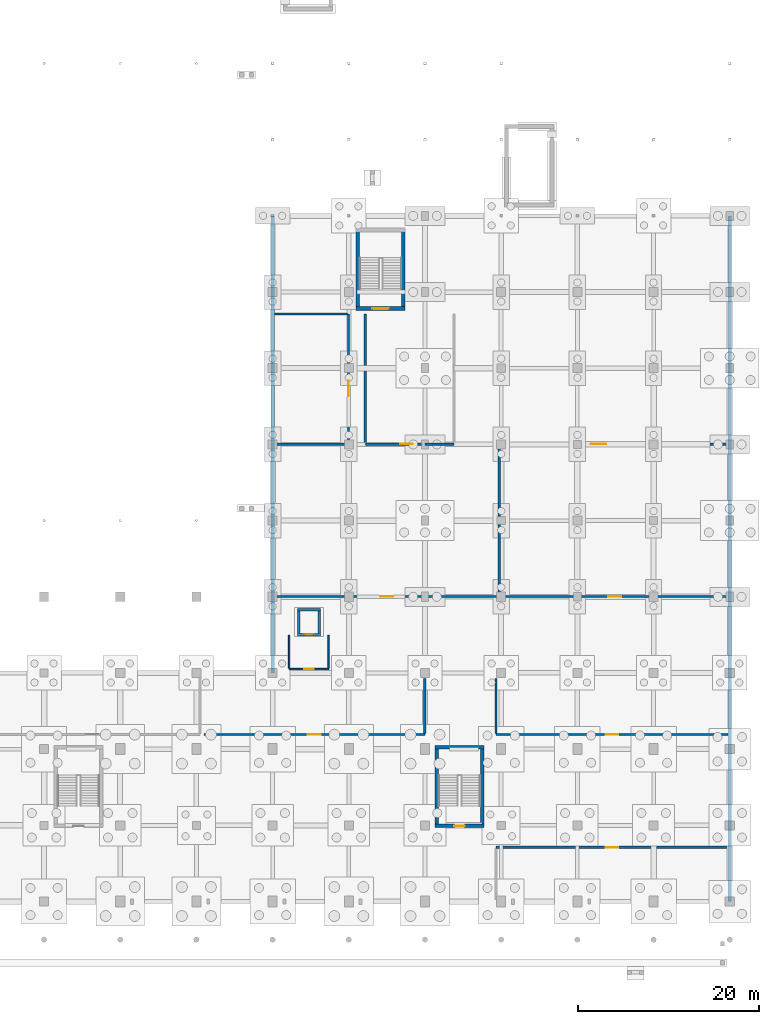
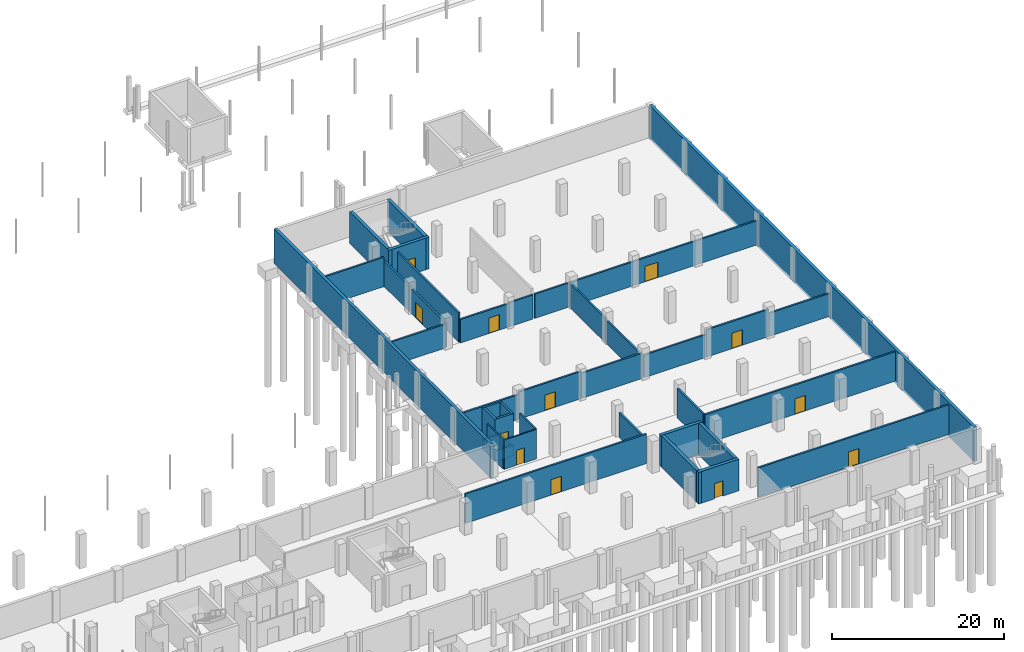
# One storey, part 35 of 39: 41 walls, 12 doors, 12 openings.
"""IFC4 building model written with IfcOpenShell, lengths in metres."""

from ifc_helpers import new_model, si_unit, derived_unit, direction, frame, frame_2d, origin, place, context, subcontext, project, spatial, rectangle, extrude, material, layer, layer_set, type_object, element, fill, save


model = new_model("IFC4")

# Units and contexts
model_context = context("Model", 3, precision=1e-05, world=origin(), true_north=direction((0.0, 1.0)))
body_context = subcontext(model_context, "Body", "Model", "MODEL_VIEW")
ifc_project = project(units=[si_unit("LENGTHUNIT", "METRE"), si_unit("AREAUNIT", "SQUARE_METRE"), si_unit("VOLUMEUNIT", "CUBIC_METRE"), si_unit("PLANEANGLEUNIT", "RADIAN"), si_unit("MASSUNIT", "GRAM", prefix="KILO"), derived_unit("THERMALTRANSMITTANCEUNIT", [(si_unit("POWERUNIT", "WATT"), 1), (si_unit("LENGTHUNIT", "METRE"), -2), (si_unit("THERMODYNAMICTEMPERATUREUNIT", "KELVIN"), -1)])], contexts=[model_context])

# Site, building, storey
site_placement = place(None, origin())
site = spatial("IfcSite", under=ifc_project, at=site_placement, CompositionType="ELEMENT")
building_placement = place(site_placement, origin())
building = spatial("IfcBuilding", under=site, at=building_placement, Name="Barrovel Congress Hotel", CompositionType="ELEMENT")
storey_placement = place(building_placement, frame((0.0, 0.0, -4.5)))
storey = spatial("IfcBuildingStorey", under=building, at=storey_placement, Name="B01", CompositionType="ELEMENT", Elevation=-4.5)

# Walls
ifc_material_1 = material(Name="Concrete C40", Category="concrete")
ifc_layer_1 = layer(ifc_material_1, 0.39990234375)
ifc_layer_set_1 = layer_set([ifc_layer_1], Name="Concrete C40")
wall_type_1 = type_object("IfcWallType", Name="EW-RET400", PredefinedType="STANDARD", material=ifc_layer_set_1)
wall_1_placement = place(storey_placement, frame((176.39990234375, 4.199951171875, -0.360107421875), z_axis=(0.0, 0.0, 1.0), x_axis=(0.0, 1.0, 0.0)))
element("IfcWall", 1, at=wall_1_placement, inside=storey, type_object=wall_type_1, Name="EW:B01:RET-02", PredefinedType="STANDARD", context=body_context, shape_type="SweptSolid", body=[
    extrude(rectangle(XDim=75.60009765625, YDim=0.39990234375, at=frame_2d((37.800048828125, 0.0))), origin(), (0.0, 0.0, 1.0), 4.860107421875),
])
wall_2_placement = place(storey_placement, frame((126.0, 79.800048828125, -0.360107421875), z_axis=(0.0, 0.0, 1.0), x_axis=(0.0, -1.0, 0.0)))
element("IfcWall", 2, at=wall_2_placement, inside=storey, type_object=wall_type_1, Name="EW:B01:RET-04", PredefinedType="STANDARD", context=body_context, shape_type="SweptSolid", body=[
    extrude(rectangle(XDim=50.400146484375, YDim=0.39990234375, at=frame_2d((25.2001953125, 0.0))), origin(), (0.0, 0.0, 1.0), 4.860107421875),
])

# Wall, opening, door
ifc_material_2 = material(Name="Gypsum Acoustic Stud", Category="gypsum")
ifc_layer_2 = layer(ifc_material_2, 0.179931640625)
ifc_layer_set_2 = layer_set([ifc_layer_2], Name="Gypsum Acoustic Stud")
wall_type_2 = type_object("IfcWallType", Name="PW-ACU-180", PredefinedType="PARTITIONING", material=ifc_layer_set_2)
wall_3_placement = place(storey_placement, frame((127.820068359375, 29.820068359375, 0.0), z_axis=(0.0, 0.0, 1.0), x_axis=(1.0, 0.0, 0.0)))
wall_3 = element("IfcWall", 3, at=wall_3_placement, inside=storey, type_object=wall_type_2, Name="RW:SP:B01:LL-CL2:S", PredefinedType="PARTITIONING", context=body_context, shape_type="SweptSolid", body=[
    extrude(rectangle(XDim=4.35986328125, YDim=0.179931640625, at=frame_2d((2.179931640625, 0.0))), origin(), (0.0, 0.0, 1.0), 4.175048828125),
])
opening_1_placement = place(wall_3_placement, frame((1.669921875, 0.0, 0.0)))
opening_1 = element("IfcOpeningElement", 4, at=opening_1_placement, cuts=wall_3, Name="Opening ID-ACC", PredefinedType="OPENING", context=body_context, shape_type="SweptSolid", body=[
    extrude(rectangle(XDim=1.02001953125, YDim=2.14990234375, at=frame_2d((0.510009765625, 1.074951171875))), frame((0.0, 0.10009765625, 0.0), z_axis=(0.0, -1.0, 0.0), x_axis=(1.0, 0.0, 0.0)), (0.0, 0.0, 1.0), 0.199951171875),
])
ifc_material_3 = material(Name="Solid Oak Acoustic Timber Door", Category="wood")
door_type_1 = type_object("IfcDoorType", Name="IDR-ID-ACC", OperationType="NOTDEFINED", PredefinedType="DOOR", material=ifc_material_3)
door_1_placement = place(opening_1_placement, origin())
door_1 = element("IfcDoor", 5, at=door_1_placement, inside=storey, type_object=door_type_1, Name="RD:SP:B01:LL-CL2", OperationType="SINGLE_SWING_LEFT", OverallHeight=2.14990234375, OverallWidth=1.02001953125, PredefinedType="DOOR", context=body_context, shape_type="SweptSolid", body=[
    extrude(rectangle(XDim=1.02001953125, YDim=2.14990234375, at=frame_2d((0.510009765625, 1.074951171875))), frame((0.0, 0.02490234375, 0.0), z_axis=(0.0, -1.0, 0.0), x_axis=(1.0, 0.0, 0.0)), (0.0, 0.0, 1.0), 0.050048828125),
])
fill(opening_1, door_1)

# Walls
for number, where, z_axis, x_axis, name in (
    (6, (127.820068359375, 29.909912109375, 0.0), (0.0, 0.0, 1.0), (0.0, 1.0, 0.0), "RW:SP:B01:LL-CL2:W"),
    (7, (132.179931640625, 29.909912109375, 0.0), (0.0, 0.0, 1.0), (0.0, 1.0, 0.0), "RW:SP:B01:LL-CL2:E"),
):
    element("IfcWall", number, at=place(storey_placement, frame(where, z_axis=z_axis, x_axis=x_axis)), inside=storey, type_object=wall_type_2, Name=name, PredefinedType="PARTITIONING", context=body_context, shape_type="SweptSolid", body=[
        extrude(rectangle(XDim=3.670166015625, YDim=0.179931640625, at=frame_2d((1.8349609375, 0.0))), origin(), (0.0, 0.0, 1.0), 4.175048828125),
    ])

# Wall, opening, door
ifc_material_4 = material(Name="Fired Clay Brick Masonry", Category="masonry")
ifc_layer_3 = layer(ifc_material_4, 0.239990234375)
ifc_layer_set_3 = layer_set([ifc_layer_3], Name="Fired Clay Brick Masonry")
wall_type_3 = type_object("IfcWallType", Name="PW-MAS-240", PredefinedType="PARTITIONING", material=ifc_layer_set_3)
wall_4_placement = place(storey_placement, frame((118.419921875, 22.6201171875, 0.0), z_axis=(0.0, 0.0, 1.0), x_axis=(1.0, 0.0, 0.0)))
wall_4 = element("IfcWall", 8, at=wall_4_placement, inside=storey, type_object=wall_type_3, Name="RW:SP:B01:BOIL:S", PredefinedType="PARTITIONING", context=body_context, shape_type="SweptSolid", body=[
    extrude(rectangle(XDim=24.360107421875, YDim=0.239990234375, at=frame_2d((12.18017578125, 0.0))), origin(), (0.0, 0.0, 1.0), 4.175048828125),
])
opening_2_placement = place(wall_4_placement, frame((11.47998046875, 0.0, 0.0)))
opening_2 = element("IfcOpeningElement", 9, at=opening_2_placement, cuts=wall_4, Name="Opening ID-PLT", PredefinedType="OPENING", context=body_context, shape_type="SweptSolid", body=[
    extrude(rectangle(XDim=1.39990234375, YDim=2.199951171875, at=frame_2d((0.699951171875, 1.10009765625))), frame((0.0, 0.1298828125, 0.0), z_axis=(0.0, -1.0, 0.0), x_axis=(1.0, 0.0, 0.0)), (0.0, 0.0, 1.0), 0.260009765625),
])
ifc_material_5 = material(Name="Painted Hollow-Metal Steel Door", Category="steel")
door_type_2 = type_object("IfcDoorType", Name="IDR-ID-PLT", OperationType="NOTDEFINED", PredefinedType="DOOR", material=ifc_material_5)
door_2_placement = place(opening_2_placement, origin())
door_2 = element("IfcDoor", 10, at=door_2_placement, inside=storey, type_object=door_type_2, Name="RD:SP:B01:BOIL", OperationType="DOUBLE_DOOR_SINGLE_SWING", OverallHeight=2.199951171875, OverallWidth=1.39990234375, PredefinedType="DOOR", context=body_context, shape_type="SweptSolid", body=[
    extrude(rectangle(XDim=1.39990234375, YDim=2.199951171875, at=frame_2d((0.699951171875, 1.10009765625))), frame((0.0, 0.02490234375, 0.0), z_axis=(0.0, -1.0, 0.0), x_axis=(1.0, 0.0, 0.0)), (0.0, 0.0, 1.0), 0.050048828125),
])
fill(opening_2, door_2)

# Wall
wall_5_placement = place(storey_placement, frame((142.780029296875, 22.739990234375, 0.0), z_axis=(0.0, 0.0, 1.0), x_axis=(0.0, 1.0, 0.0)))
element("IfcWall", 11, at=wall_5_placement, inside=storey, type_object=wall_type_3, Name="RW:SP:B01:BOIL:E", PredefinedType="PARTITIONING", context=body_context, shape_type="SweptSolid", body=[
    extrude(rectangle(XDim=6.0400390625, YDim=0.239990234375, at=frame_2d((3.02001953125, 0.0))), origin(), (0.0, 0.0, 1.0), 3.47998046875),
])

# Wall, opening, door
wall_6_placement = place(storey_placement, frame((150.6201171875, 10.179931640625, 0.0), z_axis=(0.0, 0.0, 1.0), x_axis=(1.0, 0.0, 0.0)))
wall_6 = element("IfcWall", 12, at=wall_6_placement, inside=storey, type_object=wall_type_3, Name="RW:SP:B01:SUBS:N", PredefinedType="PARTITIONING", context=body_context, shape_type="SweptSolid", body=[
    extrude(rectangle(XDim=25.579833984375, YDim=0.239990234375, at=frame_2d((12.7900390625, 0.0))), origin(), (0.0, 0.0, 1.0), 4.175048828125),
])
opening_3_placement = place(wall_6_placement, frame((12.090087890625, 0.0, 0.0)))
opening_3 = element("IfcOpeningElement", 13, at=opening_3_placement, cuts=wall_6, Name="Opening ID-PLT", PredefinedType="OPENING", context=body_context, shape_type="SweptSolid", body=[
    extrude(rectangle(XDim=1.39990234375, YDim=2.199951171875, at=frame_2d((0.699951171875, 1.10009765625))), frame((0.0, 0.1298828125, 0.0), z_axis=(0.0, -1.0, 0.0), x_axis=(1.0, 0.0, 0.0)), (0.0, 0.0, 1.0), 0.260009765625),
])
door_3_placement = place(opening_3_placement, origin())
door_3 = element("IfcDoor", 14, at=door_3_placement, inside=storey, type_object=door_type_2, Name="RD:SP:B01:SUBS", OperationType="DOUBLE_DOOR_SINGLE_SWING", OverallHeight=2.199951171875, OverallWidth=1.39990234375, PredefinedType="DOOR", context=body_context, shape_type="SweptSolid", body=[
    extrude(rectangle(XDim=1.39990234375, YDim=2.199951171875, at=frame_2d((0.699951171875, 1.10009765625))), frame((0.0, 0.02490234375, 0.0), z_axis=(0.0, -1.0, 0.0), x_axis=(1.0, 0.0, 0.0)), (0.0, 0.0, 1.0), 0.050048828125),
])
fill(opening_3, door_3)

wall_7_placement = place(storey_placement, frame((150.6201171875, 22.6201171875, 0.0), z_axis=(0.0, 0.0, 1.0), x_axis=(1.0, 0.0, 0.0)))
wall_7 = element("IfcWall", 15, at=wall_7_placement, inside=storey, type_object=wall_type_3, Name="RW:SP:B01:GEN:S", PredefinedType="PARTITIONING", context=body_context, shape_type="SweptSolid", body=[
    extrude(rectangle(XDim=25.579833984375, YDim=0.239990234375, at=frame_2d((12.7900390625, 0.0))), origin(), (0.0, 0.0, 1.0), 4.175048828125),
])
opening_4_placement = place(wall_7_placement, frame((12.090087890625, 0.0, 0.0)))
opening_4 = element("IfcOpeningElement", 16, at=opening_4_placement, cuts=wall_7, Name="Opening ID-PLT", PredefinedType="OPENING", context=body_context, shape_type="SweptSolid", body=[
    extrude(rectangle(XDim=1.39990234375, YDim=2.199951171875, at=frame_2d((0.699951171875, 1.10009765625))), frame((0.0, 0.1298828125, 0.0), z_axis=(0.0, -1.0, 0.0), x_axis=(1.0, 0.0, 0.0)), (0.0, 0.0, 1.0), 0.260009765625),
])
door_4_placement = place(opening_4_placement, origin())
door_4 = element("IfcDoor", 17, at=door_4_placement, inside=storey, type_object=door_type_2, Name="RD:SP:B01:GEN", OperationType="DOUBLE_DOOR_SINGLE_SWING", OverallHeight=2.199951171875, OverallWidth=1.39990234375, PredefinedType="DOOR", context=body_context, shape_type="SweptSolid", body=[
    extrude(rectangle(XDim=1.39990234375, YDim=2.199951171875, at=frame_2d((0.699951171875, 1.10009765625))), frame((0.0, 0.02490234375, 0.0), z_axis=(0.0, -1.0, 0.0), x_axis=(1.0, 0.0, 0.0)), (0.0, 0.0, 1.0), 0.050048828125),
])
fill(opening_4, door_4)

# Wall
wall_8_placement = place(storey_placement, frame((150.6201171875, 22.739990234375, 0.0), z_axis=(0.0, 0.0, 1.0), x_axis=(0.0, 1.0, 0.0)))
element("IfcWall", 18, at=wall_8_placement, inside=storey, type_object=wall_type_3, Name="RW:SP:B01:GEN:W", PredefinedType="PARTITIONING", context=body_context, shape_type="SweptSolid", body=[
    extrude(rectangle(XDim=6.0400390625, YDim=0.239990234375, at=frame_2d((3.02001953125, 0.0))), origin(), (0.0, 0.0, 1.0), 4.175048828125),
])

# Wall, opening, door
wall_9_placement = place(storey_placement, frame((134.39990234375, 37.820068359375, 0.0), z_axis=(0.0, 0.0, 1.0), x_axis=(1.0, 0.0, 0.0)))
wall_9 = element("IfcWall", 19, at=wall_9_placement, inside=storey, type_object=wall_type_3, Name="RW:SP:B01:CIST-P:S", PredefinedType="PARTITIONING", context=body_context, shape_type="SweptSolid", body=[
    extrude(rectangle(XDim=8.400146484375, YDim=0.239990234375, at=frame_2d((4.2001953125, 0.0))), origin(), (0.0, 0.0, 1.0), 3.875244140625),
])
opening_5_placement = place(wall_9_placement, frame((3.489990234375, 0.0, 0.0)))
opening_5 = element("IfcOpeningElement", 20, at=opening_5_placement, cuts=wall_9, Name="Opening ID-PLT", PredefinedType="OPENING", context=body_context, shape_type="SweptSolid", body=[
    extrude(rectangle(XDim=1.39990234375, YDim=2.199951171875, at=frame_2d((0.699951171875, 1.10009765625))), frame((0.0, 0.1298828125, 0.0), z_axis=(0.0, -1.0, 0.0), x_axis=(1.0, 0.0, 0.0)), (0.0, 0.0, 1.0), 0.260009765625),
])
door_5_placement = place(opening_5_placement, origin())
door_5 = element("IfcDoor", 21, at=door_5_placement, inside=storey, type_object=door_type_2, Name="RD:SP:B01:CIST-P", OperationType="DOUBLE_DOOR_SINGLE_SWING", OverallHeight=2.199951171875, OverallWidth=1.39990234375, PredefinedType="DOOR", context=body_context, shape_type="SweptSolid", body=[
    extrude(rectangle(XDim=1.39990234375, YDim=2.199951171875, at=frame_2d((0.699951171875, 1.10009765625))), frame((0.0, 0.02490234375, 0.0), z_axis=(0.0, -1.0, 0.0), x_axis=(1.0, 0.0, 0.0)), (0.0, 0.0, 1.0), 0.050048828125),
])
fill(opening_5, door_5)

# Wall
wall_10_placement = place(storey_placement, frame((150.97998046875, 37.93994140625, 0.0), z_axis=(0.0, 0.0, 1.0), x_axis=(0.0, 1.0, 0.0)))
element("IfcWall", 22, at=wall_10_placement, inside=storey, type_object=wall_type_3, Name="RW:SP:B01:CIST-P:E", PredefinedType="PARTITIONING", context=body_context, shape_type="SweptSolid", body=[
    extrude(rectangle(XDim=8.260009765625, YDim=0.239990234375, at=frame_2d((4.1298828125, 0.0))), origin(), (0.0, 0.0, 1.0), 3.330078125),
])

# Wall, opening, door
wall_11_placement = place(storey_placement, frame((159.60009765625, 37.820068359375, 0.0), z_axis=(0.0, 0.0, 1.0), x_axis=(1.0, 0.0, 0.0)))
wall_11 = element("IfcWall", 23, at=wall_11_placement, inside=storey, type_object=wall_type_3, Name="RW:SP:B01:CIST-F:S", PredefinedType="PARTITIONING", context=body_context, shape_type="SweptSolid", body=[
    extrude(rectangle(XDim=8.39990234375, YDim=0.239990234375, at=frame_2d((4.199951171875, 0.0))), origin(), (0.0, 0.0, 1.0), 3.8701171875),
])
opening_6_placement = place(wall_11_placement, frame((3.409912109375, 0.0, 0.0)))
opening_6 = element("IfcOpeningElement", 24, at=opening_6_placement, cuts=wall_11, Name="Opening ID-PLT", PredefinedType="OPENING", context=body_context, shape_type="SweptSolid", body=[
    extrude(rectangle(XDim=1.39990234375, YDim=2.199951171875, at=frame_2d((0.699951171875, 1.10009765625))), frame((0.0, 0.1298828125, 0.0), z_axis=(0.0, -1.0, 0.0), x_axis=(1.0, 0.0, 0.0)), (0.0, 0.0, 1.0), 0.260009765625),
])
door_6_placement = place(opening_6_placement, origin())
door_6 = element("IfcDoor", 25, at=door_6_placement, inside=storey, type_object=door_type_2, Name="RD:SP:B01:CIST-F", OperationType="DOUBLE_DOOR_SINGLE_SWING", OverallHeight=2.199951171875, OverallWidth=1.39990234375, PredefinedType="DOOR", context=body_context, shape_type="SweptSolid", body=[
    extrude(rectangle(XDim=1.39990234375, YDim=2.199951171875, at=frame_2d((0.699951171875, 1.10009765625))), frame((0.0, 0.02490234375, 0.0), z_axis=(0.0, -1.0, 0.0), x_axis=(1.0, 0.0, 0.0)), (0.0, 0.0, 1.0), 0.050048828125),
])
fill(opening_6, door_6)

wall_12_placement = place(storey_placement, frame((136.219970703125, 54.6201171875, 0.0), z_axis=(0.0, 0.0, 1.0), x_axis=(1.0, 0.0, 0.0)))
wall_12 = element("IfcWall", 26, at=wall_12_placement, inside=storey, type_object=wall_type_3, Name="RW:SP:B01:CIST-R:S", PredefinedType="PARTITIONING", context=body_context, shape_type="SweptSolid", body=[
    extrude(rectangle(XDim=6.580078125, YDim=0.239990234375, at=frame_2d((3.2900390625, 0.0))), origin(), (0.0, 0.0, 1.0), 3.330078125),
])
opening_7_placement = place(wall_12_placement, frame((3.830078125, 0.0, 0.0)))
opening_7 = element("IfcOpeningElement", 27, at=opening_7_placement, cuts=wall_12, Name="Opening ID-PLT", PredefinedType="OPENING", context=body_context, shape_type="SweptSolid", body=[
    extrude(rectangle(XDim=1.39990234375, YDim=2.199951171875, at=frame_2d((0.699951171875, 1.10009765625))), frame((0.0, 0.1298828125, 0.0), z_axis=(0.0, -1.0, 0.0), x_axis=(1.0, 0.0, 0.0)), (0.0, 0.0, 1.0), 0.260009765625),
])
door_7_placement = place(opening_7_placement, origin())
door_7 = element("IfcDoor", 28, at=door_7_placement, inside=storey, type_object=door_type_2, Name="RD:SP:B01:CIST-R", OperationType="DOUBLE_DOOR_SINGLE_SWING", OverallHeight=2.199951171875, OverallWidth=1.39990234375, PredefinedType="DOOR", context=body_context, shape_type="SweptSolid", body=[
    extrude(rectangle(XDim=1.39990234375, YDim=2.199951171875, at=frame_2d((0.699951171875, 1.10009765625))), frame((0.0, 0.02490234375, 0.0), z_axis=(0.0, -1.0, 0.0), x_axis=(1.0, 0.0, 0.0)), (0.0, 0.0, 1.0), 0.050048828125),
])
fill(opening_7, door_7)

# Wall
wall_13_placement = place(storey_placement, frame((136.219970703125, 54.739990234375, 0.0), z_axis=(0.0, 0.0, 1.0), x_axis=(0.0, 1.0, 0.0)))
element("IfcWall", 29, at=wall_13_placement, inside=storey, type_object=wall_type_3, Name="RW:SP:B01:CIST-R:W", PredefinedType="PARTITIONING", context=body_context, shape_type="SweptSolid", body=[
    extrude(rectangle(XDim=14.239990234375, YDim=0.239990234375, at=frame_2d((7.1201171875, 0.0))), origin(), (0.0, 0.0, 1.0), 4.175048828125),
])

# Wall, opening, door
wall_14_placement = place(storey_placement, frame((146.219970703125, 54.6201171875, 0.0), z_axis=(0.0, 0.0, 1.0), x_axis=(1.0, 0.0, 0.0)))
wall_14 = element("IfcWall", 30, at=wall_14_placement, inside=storey, type_object=wall_type_3, Name="RW:SP:B01:LNDRY:S", PredefinedType="PARTITIONING", context=body_context, shape_type="SweptSolid", body=[
    extrude(rectangle(XDim=29.97998046875, YDim=0.239990234375, at=frame_2d((14.989990234375, 0.0))), origin(), (0.0, 0.0, 1.0), 3.429931640625),
])
opening_8_placement = place(wall_14_placement, frame((14.840087890625, 0.0, 0.0)))
opening_8 = element("IfcOpeningElement", 31, at=opening_8_placement, cuts=wall_14, Name="Opening ID-KIT", PredefinedType="OPENING", context=body_context, shape_type="SweptSolid", body=[
    extrude(rectangle(XDim=1.699951171875, YDim=2.199951171875, at=frame_2d((0.85009765625, 1.10009765625))), frame((0.0, 0.1298828125, 0.0), z_axis=(0.0, -1.0, 0.0), x_axis=(1.0, 0.0, 0.0)), (0.0, 0.0, 1.0), 0.260009765625),
])
ifc_material_6 = material(Name="Brushed Stainless Steel", Category="steel")
door_type_3 = type_object("IfcDoorType", Name="IDR-ID-KIT", OperationType="NOTDEFINED", PredefinedType="DOOR", material=ifc_material_6)
door_8_placement = place(opening_8_placement, origin())
door_8 = element("IfcDoor", 32, at=door_8_placement, inside=storey, type_object=door_type_3, Name="RD:SP:B01:LNDRY", OperationType="DOUBLE_DOOR_SINGLE_SWING", OverallHeight=2.199951171875, OverallWidth=1.699951171875, PredefinedType="DOOR", context=body_context, shape_type="SweptSolid", body=[
    extrude(rectangle(XDim=1.699951171875, YDim=2.199951171875, at=frame_2d((0.85009765625, 1.10009765625))), frame((0.0, 0.02490234375, 0.0), z_axis=(0.0, -1.0, 0.0), x_axis=(1.0, 0.0, 0.0)), (0.0, 0.0, 1.0), 0.050048828125),
])
fill(opening_8, door_8)

wall_15_placement = place(storey_placement, frame((134.3798828125, 54.6201171875, 0.0), z_axis=(0.0, 0.0, 1.0), x_axis=(0.0, 1.0, 0.0)))
wall_15 = element("IfcWall", 33, at=wall_15_placement, inside=storey, type_object=wall_type_3, Name="RW:SP:B01:HK-ST:E", PredefinedType="PARTITIONING", context=body_context, shape_type="SweptSolid", body=[
    extrude(rectangle(XDim=8.3798828125, YDim=0.239990234375, at=frame_2d((4.18994140625, 0.0))), origin(), (0.0, 0.0, 1.0), 3.47998046875),
])
opening_9_placement = place(wall_15_placement, frame((5.280029296875, 0.0, 0.0)))
opening_9 = element("IfcOpeningElement", 34, at=opening_9_placement, cuts=wall_15, Name="Opening ID-KIT", PredefinedType="OPENING", context=body_context, shape_type="SweptSolid", body=[
    extrude(rectangle(XDim=1.699951171875, YDim=2.199951171875, at=frame_2d((0.85009765625, 1.10009765625))), frame((0.0, 0.1298828125, 0.0), z_axis=(0.0, -1.0, 0.0), x_axis=(1.0, 0.0, 0.0)), (0.0, 0.0, 1.0), 0.260009765625),
])
door_9_placement = place(opening_9_placement, origin())
door_9 = element("IfcDoor", 35, at=door_9_placement, inside=storey, type_object=door_type_3, Name="RD:SP:B01:HK-ST", OperationType="DOUBLE_DOOR_SINGLE_SWING", OverallHeight=2.199951171875, OverallWidth=1.699951171875, PredefinedType="DOOR", context=body_context, shape_type="SweptSolid", body=[
    extrude(rectangle(XDim=1.699951171875, YDim=2.199951171875, at=frame_2d((0.85009765625, 1.10009765625))), frame((0.0, 0.02490234375, 0.0), z_axis=(0.0, -1.0, 0.0), x_axis=(1.0, 0.0, 0.0)), (0.0, 0.0, 1.0), 0.050048828125),
])
fill(opening_9, door_9)

# Walls
wall_16_placement = place(storey_placement, frame((126.199951171875, 54.6201171875, 0.0), z_axis=(0.0, 0.0, 1.0), x_axis=(1.0, 0.0, 0.0)))
element("IfcWall", 36, at=wall_16_placement, inside=storey, type_object=wall_type_3, Name="RW:SP:B01:HK-ST:S", PredefinedType="PARTITIONING", context=body_context, shape_type="SweptSolid", body=[
    extrude(rectangle(XDim=8.06005859375, YDim=0.239990234375, at=frame_2d((4.030029296875, 0.0))), origin(), (0.0, 0.0, 1.0), 3.3798828125),
])
wall_17_placement = place(storey_placement, frame((126.199951171875, 68.97998046875, 0.0), z_axis=(0.0, 0.0, 1.0), x_axis=(1.0, 0.0, 0.0)))
element("IfcWall", 37, at=wall_17_placement, inside=storey, type_object=wall_type_3, Name="RW:SP:B01:HK-ST:N", PredefinedType="PARTITIONING", context=body_context, shape_type="SweptSolid", body=[
    extrude(rectangle(XDim=8.06005859375, YDim=0.239990234375, at=frame_2d((4.030029296875, 0.0))), origin(), (0.0, 0.0, 1.0), 4.175048828125),
])
wall_18_placement = place(storey_placement, frame((126.199951171875, 37.820068359375, 0.0), z_axis=(0.0, 0.0, 1.0), x_axis=(1.0, 0.0, 0.0)))
element("IfcWall", 38, at=wall_18_placement, inside=storey, type_object=wall_type_3, Name="RW:SP:B01:CIST-P:S:P01", PredefinedType="PARTITIONING", context=body_context, shape_type="SweptSolid", body=[
    extrude(rectangle(XDim=8.199951171875, YDim=0.239990234375, at=frame_2d((4.10009765625, 0.0))), origin(), (0.0, 0.0, 1.0), 3.530029296875),
])
wall_19_placement = place(storey_placement, frame((142.800048828125, 37.820068359375, 0.0), z_axis=(0.0, 0.0, 1.0), x_axis=(1.0, 0.0, 0.0)))
element("IfcWall", 39, at=wall_19_placement, inside=storey, type_object=wall_type_3, Name="RW:SP:B01:CIST-P:S:P03", PredefinedType="PARTITIONING", context=body_context, shape_type="SweptSolid", body=[
    extrude(rectangle(XDim=8.179931640625, YDim=0.239990234375, at=frame_2d((4.08984375, 0.0))), origin(), (0.0, 0.0, 1.0), 3.580078125),
])
wall_20_placement = place(storey_placement, frame((150.97998046875, 46.199951171875, 0.0), z_axis=(0.0, 0.0, 1.0), x_axis=(0.0, 1.0, 0.0)))
element("IfcWall", 40, at=wall_20_placement, inside=storey, type_object=wall_type_3, Name="RW:SP:B01:CIST-P:E:P02", PredefinedType="PARTITIONING", context=body_context, shape_type="SweptSolid", body=[
    extrude(rectangle(XDim=8.179931640625, YDim=0.239990234375, at=frame_2d((4.08984375, 0.0))), origin(), (0.0, 0.0, 1.0), 3.429931640625),
])
wall_21_placement = place(storey_placement, frame((151.219970703125, 37.820068359375, 0.0), z_axis=(0.0, 0.0, 1.0), x_axis=(1.0, 0.0, 0.0)))
element("IfcWall", 41, at=wall_21_placement, inside=storey, type_object=wall_type_3, Name="RW:SP:B01:CIST-F:S:P01", PredefinedType="PARTITIONING", context=body_context, shape_type="SweptSolid", body=[
    extrude(rectangle(XDim=8.380126953125, YDim=0.239990234375, at=frame_2d((4.18994140625, 0.0))), origin(), (0.0, 0.0, 1.0), 3.22998046875),
])
wall_22_placement = place(storey_placement, frame((168.0, 37.820068359375, 0.0), z_axis=(0.0, 0.0, 1.0), x_axis=(1.0, 0.0, 0.0)))
element("IfcWall", 42, at=wall_22_placement, inside=storey, type_object=wall_type_3, Name="RW:SP:B01:CIST-F:S:P03", PredefinedType="PARTITIONING", context=body_context, shape_type="SweptSolid", body=[
    extrude(rectangle(XDim=8.199951171875, YDim=0.239990234375, at=frame_2d((4.10009765625, 0.0))), origin(), (0.0, 0.0, 1.0), 3.280029296875),
])
wall_23_placement = place(storey_placement, frame((142.800048828125, 54.6201171875, 0.0), z_axis=(0.0, 0.0, 1.0), x_axis=(1.0, 0.0, 0.0)))
element("IfcWall", 43, at=wall_23_placement, inside=storey, type_object=wall_type_3, Name="RW:SP:B01:CIST-R:S:P02", PredefinedType="PARTITIONING", context=body_context, shape_type="SweptSolid", body=[
    extrude(rectangle(XDim=3.179931640625, YDim=0.239990234375, at=frame_2d((1.58984375, 0.0))), origin(), (0.0, 0.0, 1.0), 3.429931640625),
])
wall_24_placement = place(storey_placement, frame((134.3798828125, 63.0, 0.0), z_axis=(0.0, 0.0, 1.0), x_axis=(0.0, 1.0, 0.0)))
element("IfcWall", 44, at=wall_24_placement, inside=storey, type_object=wall_type_3, Name="RW:SP:B01:HK-ST:E:P02", PredefinedType="PARTITIONING", context=body_context, shape_type="SweptSolid", body=[
    extrude(rectangle(XDim=5.97998046875, YDim=0.239990234375, at=frame_2d((2.989990234375, 0.0))), origin(), (0.0, 0.0, 1.0), 3.580078125),
])
ifc_layer_4 = layer(ifc_material_1, 0.280029296875)
ifc_layer_set_4 = layer_set([ifc_layer_4], Name="Concrete C40")
wall_type_4 = type_object("IfcWallType", Name="SW-C40-280", PredefinedType="SHEAR", material=ifc_layer_set_4)
wall_25_placement = place(storey_placement, frame((128.739990234375, 33.6298828125, -1.5), z_axis=(0.0, 0.0, 1.0), x_axis=(1.0, 0.0, 0.0)))
element("IfcWall", 45, at=wall_25_placement, inside=storey, type_object=wall_type_4, Name="LSH:CL-2:PIT:S", PredefinedType="SHEAR", context=body_context, shape_type="SweptSolid", body=[
    extrude(rectangle(XDim=2.52001953125, YDim=0.280029296875, at=frame_2d((1.260009765625, 0.0))), origin(), (0.0, 0.0, 1.0), 1.5),
])
wall_26_placement = place(storey_placement, frame((131.1201171875, 33.489990234375, -1.5), z_axis=(0.0, 0.0, 1.0), x_axis=(0.0, 1.0, 0.0)))
element("IfcWall", 46, at=wall_26_placement, inside=storey, type_object=wall_type_4, Name="LSH:CL-2:PIT:E", PredefinedType="SHEAR", context=body_context, shape_type="SweptSolid", body=[
    extrude(rectangle(XDim=3.02001953125, YDim=0.280029296875, at=frame_2d((1.510009765625, 0.0))), origin(), (0.0, 0.0, 1.0), 1.5),
])
wall_27_placement = place(storey_placement, frame((131.260009765625, 36.3701171875, -1.5), z_axis=(0.0, 0.0, 1.0), x_axis=(-1.0, 0.0, 0.0)))
element("IfcWall", 47, at=wall_27_placement, inside=storey, type_object=wall_type_4, Name="LSH:CL-2:PIT:N", PredefinedType="SHEAR", context=body_context, shape_type="SweptSolid", body=[
    extrude(rectangle(XDim=2.52001953125, YDim=0.280029296875, at=frame_2d((1.260009765625, 0.0))), origin(), (0.0, 0.0, 1.0), 1.5),
])
wall_28_placement = place(storey_placement, frame((128.8798828125, 36.510009765625, -1.5), z_axis=(0.0, 0.0, 1.0), x_axis=(0.0, -1.0, 0.0)))
element("IfcWall", 48, at=wall_28_placement, inside=storey, type_object=wall_type_4, Name="LSH:CL-2:PIT:W", PredefinedType="SHEAR", context=body_context, shape_type="SweptSolid", body=[
    extrude(rectangle(XDim=3.02001953125, YDim=0.280029296875, at=frame_2d((1.510009765625, 0.0))), origin(), (0.0, 0.0, 1.0), 1.5),
])

# Wall, opening, door
wall_29_placement = place(storey_placement, frame((128.739990234375, 33.6298828125, 0.0), z_axis=(0.0, 0.0, 1.0), x_axis=(1.0, 0.0, 0.0)))
wall_29 = element("IfcWall", 49, at=wall_29_placement, inside=storey, type_object=wall_type_4, Name="LSH:CL-2:B01:S", PredefinedType="SHEAR", context=body_context, shape_type="SweptSolid", body=[
    extrude(rectangle(XDim=2.52001953125, YDim=0.280029296875, at=frame_2d((1.260009765625, 0.0))), origin(), (0.0, 0.0, 1.0), 4.5),
])
opening_10_placement = place(wall_29_placement, frame((0.735107421875, 0.0, 0.0)))
opening_10 = element("IfcOpeningElement", 50, at=opening_10_placement, cuts=wall_29, Name="Opening LD-PAX", PredefinedType="OPENING", context=body_context, shape_type="SweptSolid", body=[
    extrude(rectangle(XDim=1.050048828125, YDim=2.199951171875, at=frame_2d((0.52490234375, 1.10009765625))), frame((0.0, 0.14990234375, 0.0), z_axis=(0.0, -1.0, 0.0), x_axis=(1.0, 0.0, 0.0)), (0.0, 0.0, 1.0), 0.300048828125),
])
door_type_4 = type_object("IfcDoorType", Name="IDR-LD-PAX", OperationType="NOTDEFINED", PredefinedType="DOOR", material=ifc_material_6)
door_10_placement = place(opening_10_placement, origin())
door_10 = element("IfcDoor", 51, at=door_10_placement, inside=storey, type_object=door_type_4, Name="Lift Landing Door LD-CL-2-B01", OperationType="SLIDING_TO_LEFT", OverallHeight=2.199951171875, OverallWidth=1.050048828125, PredefinedType="DOOR", context=body_context, shape_type="SweptSolid", body=[
    extrude(rectangle(XDim=1.050048828125, YDim=2.199951171875, at=frame_2d((0.52490234375, 1.10009765625))), frame((0.0, 0.02490234375, 0.0), z_axis=(0.0, -1.0, 0.0), x_axis=(1.0, 0.0, 0.0)), (0.0, 0.0, 1.0), 0.050048828125),
])
fill(opening_10, door_10)

# Walls
wall_30_placement = place(storey_placement, frame((131.1201171875, 33.489990234375, 0.0), z_axis=(0.0, 0.0, 1.0), x_axis=(0.0, 1.0, 0.0)))
element("IfcWall", 52, at=wall_30_placement, inside=storey, type_object=wall_type_4, Name="LSH:CL-2:B01:E", PredefinedType="SHEAR", context=body_context, shape_type="SweptSolid", body=[
    extrude(rectangle(XDim=3.02001953125, YDim=0.280029296875, at=frame_2d((1.510009765625, 0.0))), origin(), (0.0, 0.0, 1.0), 4.5),
])
wall_31_placement = place(storey_placement, frame((131.260009765625, 36.3701171875, 0.0), z_axis=(0.0, 0.0, 1.0), x_axis=(-1.0, 0.0, 0.0)))
element("IfcWall", 53, at=wall_31_placement, inside=storey, type_object=wall_type_4, Name="LSH:CL-2:B01:N", PredefinedType="SHEAR", context=body_context, shape_type="SweptSolid", body=[
    extrude(rectangle(XDim=2.52001953125, YDim=0.280029296875, at=frame_2d((1.260009765625, 0.0))), origin(), (0.0, 0.0, 1.0), 4.5),
])
wall_32_placement = place(storey_placement, frame((128.8798828125, 36.510009765625, 0.0), z_axis=(0.0, 0.0, 1.0), x_axis=(0.0, -1.0, 0.0)))
element("IfcWall", 54, at=wall_32_placement, inside=storey, type_object=wall_type_4, Name="LSH:CL-2:B01:W", PredefinedType="SHEAR", context=body_context, shape_type="SweptSolid", body=[
    extrude(rectangle(XDim=3.02001953125, YDim=0.280029296875, at=frame_2d((1.510009765625, 0.0))), origin(), (0.0, 0.0, 1.0), 4.5),
])

# Wall, opening, door
ifc_material_7 = material(Name="Concrete C50", Category="concrete")
ifc_layer_5 = layer(ifc_material_7, 0.419921875)
ifc_layer_set_5 = layer_set([ifc_layer_5], Name="Concrete C50")
wall_type_5 = type_object("IfcWallType", Name="SW-C50-420", PredefinedType="SHEAR", material=ifc_layer_set_5)
wall_33_placement = place(storey_placement, frame((143.8798828125, 12.550048828125, 0.0), z_axis=(0.0, 0.0, 1.0), x_axis=(1.0, 0.0, 0.0)))
wall_33 = element("IfcWall", 55, at=wall_33_placement, inside=storey, type_object=wall_type_5, Name="SHW:XS-04:B01:S", PredefinedType="SHEAR", context=body_context, shape_type="SweptSolid", body=[
    extrude(rectangle(XDim=5.440185546875, YDim=0.419921875, at=frame_2d((2.72021484375, 0.0))), origin(), (0.0, 0.0, 1.0), 4.5),
])
opening_11_placement = place(wall_33_placement, frame((2.14501953125, 0.0, 0.0)))
opening_11 = element("IfcOpeningElement", 56, at=opening_11_placement, cuts=wall_33, Name="Opening ID-ST1", PredefinedType="OPENING", context=body_context, shape_type="SweptSolid", body=[
    extrude(rectangle(XDim=1.14990234375, YDim=2.14990234375, at=frame_2d((0.574951171875, 1.074951171875))), frame((0.0, 0.219970703125, 0.0), z_axis=(0.0, -1.0, 0.0), x_axis=(1.0, 0.0, 0.0)), (0.0, 0.0, 1.0), 0.43994140625),
])
door_type_5 = type_object("IfcDoorType", Name="IDR-ID-ST1", OperationType="NOTDEFINED", PredefinedType="DOOR", material=ifc_material_5)
door_11_placement = place(opening_11_placement, origin())
door_11 = element("IfcDoor", 57, at=door_11_placement, inside=storey, type_object=door_type_5, Name="Stair Core Fire Door XS-04-B01", OperationType="SINGLE_SWING_RIGHT", OverallHeight=2.14990234375, OverallWidth=1.14990234375, PredefinedType="DOOR", context=body_context, shape_type="SweptSolid", body=[
    extrude(rectangle(XDim=1.14990234375, YDim=2.14990234375, at=frame_2d((0.574951171875, 1.074951171875))), frame((0.0, 0.02490234375, 0.0), z_axis=(0.0, -1.0, 0.0), x_axis=(1.0, 0.0, 0.0)), (0.0, 0.0, 1.0), 0.050048828125),
])
fill(opening_11, door_11)

# Walls
wall_34_placement = place(storey_placement, frame((149.110107421875, 12.340087890625, 0.0), z_axis=(0.0, 0.0, 1.0), x_axis=(0.0, 1.0, 0.0)))
element("IfcWall", 58, at=wall_34_placement, inside=storey, type_object=wall_type_5, Name="SHW:XS-04:B01:E", PredefinedType="SHEAR", context=body_context, shape_type="SweptSolid", body=[
    extrude(rectangle(XDim=9.079833984375, YDim=0.419921875, at=frame_2d((4.5400390625, 0.0))), origin(), (0.0, 0.0, 1.0), 4.5),
])
wall_35_placement = place(storey_placement, frame((149.320068359375, 21.2099609375, 0.0), z_axis=(0.0, 0.0, 1.0), x_axis=(-1.0, 0.0, 0.0)))
element("IfcWall", 59, at=wall_35_placement, inside=storey, type_object=wall_type_5, Name="SHW:XS-04:B01:N", PredefinedType="SHEAR", context=body_context, shape_type="SweptSolid", body=[
    extrude(rectangle(XDim=5.440185546875, YDim=0.419921875, at=frame_2d((2.72021484375, 0.0))), origin(), (0.0, 0.0, 1.0), 4.5),
])
wall_36_placement = place(storey_placement, frame((144.090087890625, 21.419921875, 0.0), z_axis=(0.0, 0.0, 1.0), x_axis=(0.0, -1.0, 0.0)))
element("IfcWall", 60, at=wall_36_placement, inside=storey, type_object=wall_type_5, Name="SHW:XS-04:B01:W", PredefinedType="SHEAR", context=body_context, shape_type="SweptSolid", body=[
    extrude(rectangle(XDim=9.079833984375, YDim=0.419921875, at=frame_2d((4.5400390625, 0.0))), origin(), (0.0, 0.0, 1.0), 4.5),
])

# Wall, opening, door
wall_37_placement = place(storey_placement, frame((135.179931640625, 69.590087890625, 0.0), z_axis=(0.0, 0.0, 1.0), x_axis=(1.0, 0.0, 0.0)))
wall_37 = element("IfcWall", 61, at=wall_37_placement, inside=storey, type_object=wall_type_5, Name="SHW:XS-09:B01:S", PredefinedType="SHEAR", context=body_context, shape_type="SweptSolid", body=[
    extrude(rectangle(XDim=5.440185546875, YDim=0.419921875, at=frame_2d((2.72021484375, 0.0))), origin(), (0.0, 0.0, 1.0), 4.5),
])
opening_12_placement = place(wall_37_placement, frame((1.820068359375, 0.0, 0.0)))
opening_12 = element("IfcOpeningElement", 62, at=opening_12_placement, cuts=wall_37, Name="Opening ID-ST2", PredefinedType="OPENING", context=body_context, shape_type="SweptSolid", body=[
    extrude(rectangle(XDim=1.800048828125, YDim=2.199951171875, at=frame_2d((0.89990234375, 1.10009765625))), frame((0.0, 0.219970703125, 0.0), z_axis=(0.0, -1.0, 0.0), x_axis=(1.0, 0.0, 0.0)), (0.0, 0.0, 1.0), 0.43994140625),
])
door_type_6 = type_object("IfcDoorType", Name="IDR-ID-ST2", OperationType="NOTDEFINED", PredefinedType="DOOR", material=ifc_material_5)
door_12_placement = place(opening_12_placement, origin())
door_12 = element("IfcDoor", 63, at=door_12_placement, inside=storey, type_object=door_type_6, Name="Stair Core Fire Door XS-09-B01", OperationType="DOUBLE_DOOR_SINGLE_SWING", OverallHeight=2.199951171875, OverallWidth=1.800048828125, PredefinedType="DOOR", context=body_context, shape_type="SweptSolid", body=[
    extrude(rectangle(XDim=1.800048828125, YDim=2.199951171875, at=frame_2d((0.89990234375, 1.10009765625))), frame((0.0, 0.02490234375, 0.0), z_axis=(0.0, -1.0, 0.0), x_axis=(1.0, 0.0, 0.0)), (0.0, 0.0, 1.0), 0.050048828125),
])
fill(opening_12, door_12)

# Walls
for number, where, z_axis, x_axis, name in (
    (64, (140.409912109375, 69.3798828125, 0.0), (0.0, 0.0, 1.0), (0.0, 1.0, 0.0), "SHW:XS-09:B01:E"),
    (65, (135.389892578125, 78.4599609375, 0.0), (0.0, 0.0, 1.0), (0.0, -1.0, 0.0), "SHW:XS-09:B01:W"),
):
    element("IfcWall", number, at=place(storey_placement, frame(where, z_axis=z_axis, x_axis=x_axis)), inside=storey, type_object=wall_type_5, Name=name, PredefinedType="SHEAR", context=body_context, shape_type="SweptSolid", body=[
        extrude(rectangle(XDim=9.080078125, YDim=0.419921875, at=frame_2d((4.5400390625, 0.0))), origin(), (0.0, 0.0, 1.0), 4.5),
    ])

save(model, "model.ifc")
